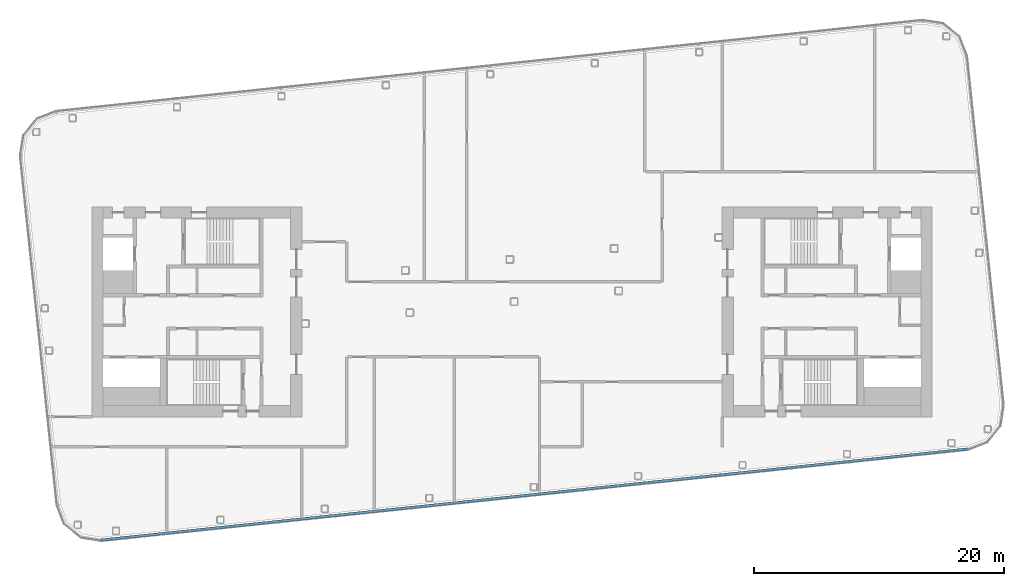
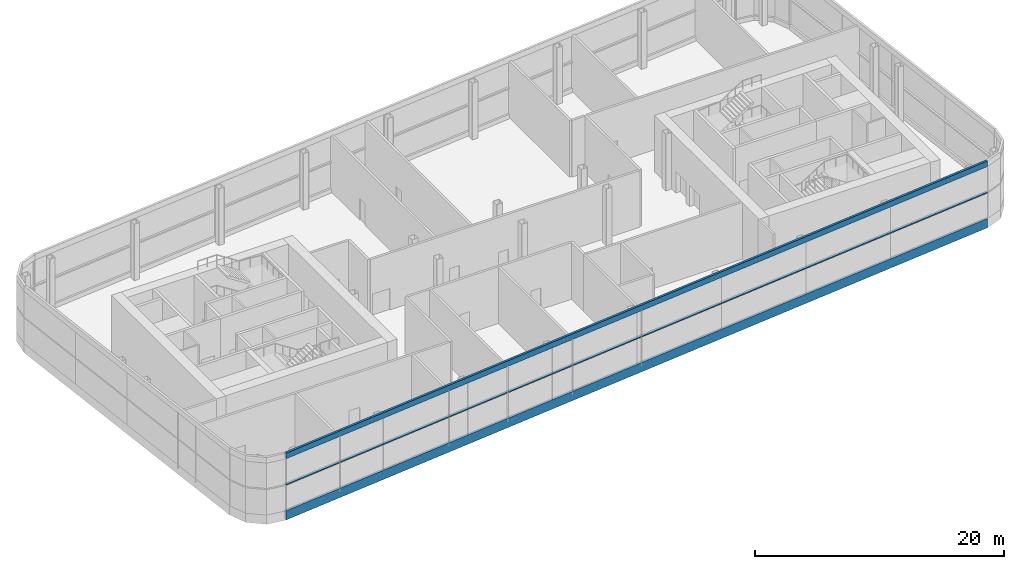
# One storey, part 6 of 35: 3 members, 1 element without a shape of its own.
"""IFC4 building model written with IfcOpenShell, lengths in metres."""

import ifcopenshell
import ifcopenshell.guid

model = None  # the IFC model being written
_history = None  # IfcOwnerHistory: only IFC2X3 demands one
_inside = {}  # id of a spatial element -> (the spatial element, [elements in it])
_under = {}  # id of a project, library or spatial element -> (it, [spatial elements below it])
_declared = {}  # id of a project -> (the project, [libraries it declares])
_typed = {}  # id of a type object -> (the type object, [elements of that type])
_made_of = {}  # id of a material, layer set ... -> (it, [elements and type objects made of it])


def new_model(schema):
    """Start an empty IFC model of exactly this schema.

    Asked for "IFC4X3", IfcOpenShell would pick the latest addendum, in which some entities
    have other attributes; the version numbers below select the first issue.
    IFC2X3 requires an IfcOwnerHistory on every rooted entity: one is made here for all.
    """
    global model, _history
    if schema == "IFC4X3":
        model = ifcopenshell.file(schema_version=(4, 3, 0, 0))
    else:
        model = ifcopenshell.file(schema=schema)
    _inside.clear()
    _under.clear()
    _declared.clear()
    _typed.clear()
    _made_of.clear()
    _history = None
    if model.schema == "IFC2X3":
        org = make("IfcOrganization", Name="unknown")
        user = make(
            "IfcPersonAndOrganization",
            ThePerson=make("IfcPerson", FamilyName="unknown"),
            TheOrganization=org,
        )
        app = make(
            "IfcApplication",
            ApplicationDeveloper=org,
            Version="unknown",
            ApplicationFullName="unknown",
            ApplicationIdentifier="unknown",
        )
        _history = make(
            "IfcOwnerHistory",
            OwningUser=user,
            OwningApplication=app,
            ChangeAction="ADDED",
            CreationDate=0,
        )
    return model


def make(cls, **values):
    """One entity of the class cls with the attributes given. An attribute that is None is left unset."""
    return model.create_entity(
        cls, **{name: value for name, value in values.items() if value is not None}
    )


def rooted(cls, **values):
    """An entity with a GlobalId (a new one), such as an element, a storey or a relation."""
    return make(cls, GlobalId=ifcopenshell.guid.new(), OwnerHistory=_history, **values)


def si_unit(unit_type, name, prefix=None):
    """IfcSIUnit, for example si_unit("LENGTHUNIT", "METRE", prefix="MILLI")."""
    return make("IfcSIUnit", UnitType=unit_type, Prefix=prefix, Name=name)


def assignment(units):
    """IfcUnitAssignment: the units of a project."""
    return None if units is None else make("IfcUnitAssignment", Units=units)


def point(xyz):
    """IfcCartesianPoint."""
    return None if xyz is None else make("IfcCartesianPoint", Coordinates=xyz)


def direction(xyz):
    """IfcDirection."""
    return None if xyz is None else make("IfcDirection", DirectionRatios=xyz)


def frame(location, z_axis=None, x_axis=None):
    """IfcAxis2Placement3D, a coordinate frame: its origin and axes. An axis left out is left unset."""
    return make(
        "IfcAxis2Placement3D",
        Location=point(location),
        Axis=direction(z_axis),
        RefDirection=direction(x_axis),
    )


def frame_2d(location, x_axis=None):
    """IfcAxis2Placement2D, a coordinate frame in the plane: its origin and x axis."""
    return make(
        "IfcAxis2Placement2D", Location=point(location), RefDirection=direction(x_axis)
    )


def origin():
    """The frame at (0, 0, 0) with its axes left unset."""
    return frame((0.0, 0.0, 0.0))


def origin_2d():
    """The frame at (0, 0) in the plane with its x axis left unset."""
    return frame_2d((0.0, 0.0))


def place(relative_to, where):
    """IfcLocalPlacement: puts the frame where relative to a parent placement (None: the world)."""
    return make(
        "IfcLocalPlacement", PlacementRelTo=relative_to, RelativePlacement=where
    )


def context(
    kind, dimensions, precision=None, world=None, true_north=None, identifier=None
):
    """IfcGeometricRepresentationContext, for example the 3D "Model" context."""
    return make(
        "IfcGeometricRepresentationContext",
        ContextIdentifier=identifier,
        ContextType=kind,
        CoordinateSpaceDimension=dimensions,
        Precision=precision,
        WorldCoordinateSystem=world,
        TrueNorth=true_north,
    )


def subcontext(parent, identifier, kind, view, scale=None):
    """IfcGeometricRepresentationSubContext, for example "Body" below "Model"."""
    return make(
        "IfcGeometricRepresentationSubContext",
        ContextIdentifier=identifier,
        ContextType=kind,
        ParentContext=parent,
        TargetScale=scale,
        TargetView=view,
    )


def project(units=None, contexts=None):
    """IfcProject with its units and contexts."""
    return rooted(
        "IfcProject",
        Name="project",
        RepresentationContexts=contexts,
        UnitsInContext=assignment(units),
    )


def spatial(cls, under=None, at=None, **own):
    """A site, building, storey or space (cls), placed at a placement, below another one or the project."""
    s = rooted(cls, ObjectPlacement=at, **own)
    if under is not None:
        _under.setdefault(under.id(), (under, []))[1].append(s)
    return s


def profile(cls, at=None, kind="AREA", **sizes):
    """A parametric profile (cls). Its sizes go by their IFC names, for example OverallWidth=200.0."""
    return make(cls, ProfileType=kind, Position=at, **sizes)


def rectangle(**sizes):
    """IfcRectangleProfileDef."""
    return profile("IfcRectangleProfileDef", **sizes)


def extrude(swept, where, along, depth):
    """IfcExtrudedAreaSolid: the profile swept, set in the frame where, extruded along a direction by depth."""
    return make(
        "IfcExtrudedAreaSolid",
        SweptArea=swept,
        Position=where,
        ExtrudedDirection=direction(along),
        Depth=depth,
    )


def shape(context_of_items, identifier, shape_type, items):
    """IfcShapeRepresentation: the items that make up one representation, for example the "Body"."""
    return make(
        "IfcShapeRepresentation",
        ContextOfItems=context_of_items,
        RepresentationIdentifier=identifier,
        RepresentationType=shape_type,
        Items=items,
    )


def material(Name=None, Category=None):
    """IfcMaterial."""
    return make("IfcMaterial", Name=Name, Category=Category)


def layer(
    of_material, thickness, ventilated=None, Name=None, Category=None, Priority=None
):
    """IfcMaterialLayer: one layer of a wall or slab, of a material (None: an air gap)."""
    return make(
        "IfcMaterialLayer",
        Material=of_material,
        LayerThickness=thickness,
        IsVentilated=ventilated,
        Name=Name,
        Category=Category,
        Priority=Priority,
    )


def layer_set(layers, Name=None):
    """IfcMaterialLayerSet."""
    return make("IfcMaterialLayerSet", MaterialLayers=layers, LayerSetName=Name)


def material_profile(
    of_material, cross_section, Name=None, Category=None, Priority=None
):
    """IfcMaterialProfile: a cross section and its material."""
    return make(
        "IfcMaterialProfile",
        Name=Name,
        Material=of_material,
        Profile=cross_section,
        Priority=Priority,
        Category=Category,
    )


def profile_set(profiles, Name=None, composite=None):
    """IfcMaterialProfileSet."""
    return make(
        "IfcMaterialProfileSet",
        Name=Name,
        MaterialProfiles=profiles,
        CompositeProfile=composite,
    )


def made_of(thing, what):
    """Note that an element or type object is made of a material, layer set ...; save() writes the relation."""
    if what is not None:
        _made_of.setdefault(what.id(), (what, []))[1].append(thing)
    return thing


def type_object(cls, material=None, **own):
    """A type object (cls), such as IfcWallType, which elements share."""
    return made_of(rooted(cls, **own), material)


def element(
    cls,
    number,
    at=None,
    inside=None,
    cuts=None,
    type_object=None,
    material=None,
    context=None,
    identifier="Body",
    shape_type=None,
    held_by="IfcProductDefinitionShape",
    body=None,
    shapes=None,
    **own,
):
    """One element of the class cls, such as IfcWall. Its Tag is "e" and its number.

    at: its placement. inside: the storey or other place that contains it. cuts: it is an
    opening in that element (IfcRelVoidsElement). A single representation is given by context,
    identifier, shape_type and body (its items); several are given by shapes. held_by: the class
    of the entity that holds the representations. save() writes the other relations.
    """
    e = rooted(cls, Tag="e%d" % number, ObjectPlacement=at, **own)
    if body is not None:
        shapes = [shape(context, identifier, shape_type, body)]
    if shapes is not None:
        e.Representation = make(held_by, Representations=shapes)
    if inside is not None:
        _inside.setdefault(inside.id(), (inside, []))[1].append(e)
    if cuts is not None:
        rooted(
            "IfcRelVoidsElement", RelatingBuildingElement=cuts, RelatedOpeningElement=e
        )
    if type_object is not None:
        _typed.setdefault(type_object.id(), (type_object, []))[1].append(e)
    return made_of(e, material)


def aggregate(whole, parts):
    """IfcRelAggregates: a whole, such as a stair, and the parts it consists of."""
    return rooted("IfcRelAggregates", RelatingObject=whole, RelatedObjects=parts)


def save(model, path):
    """Write the relations noted so far, then the file.

    IfcRelAggregates (storeys below a building ...), IfcRelContainedInSpatialStructure (elements
    in a storey), IfcRelDefinesByType, IfcRelAssociatesMaterial and IfcRelDeclares: one each for
    every whole, place, type object, material and project.
    """
    for whole, parts in _under.values():
        aggregate(whole, parts)
    for where, things in _inside.values():
        rooted(
            "IfcRelContainedInSpatialStructure",
            RelatedElements=things,
            RelatingStructure=where,
        )
    for kind, things in _typed.values():
        rooted("IfcRelDefinesByType", RelatedObjects=things, RelatingType=kind)
    for what, things in _made_of.values():
        rooted("IfcRelAssociatesMaterial", RelatedObjects=things, RelatingMaterial=what)
    for by, libraries in _declared.values():
        rooted("IfcRelDeclares", RelatingContext=by, RelatedDefinitions=libraries)
    model.write(path)


model = new_model("IFC4")

# Units and contexts
model_context = context("Model", 3, precision=1e-05, world=origin(), true_north=direction((0.0, 1.0)))
body_context = subcontext(model_context, "Body", "Model", "MODEL_VIEW")
ifc_project = project(units=[si_unit("LENGTHUNIT", "METRE"), si_unit("AREAUNIT", "SQUARE_METRE"), si_unit("VOLUMEUNIT", "CUBIC_METRE"), si_unit("PLANEANGLEUNIT", "RADIAN"), si_unit("MASSUNIT", "GRAM", prefix="KILO")], contexts=[model_context])

# Site, building, storey
site_placement = place(None, origin())
site = spatial("IfcSite", under=ifc_project, at=site_placement, CompositionType="ELEMENT")
building_placement = place(site_placement, origin())
building = spatial("IfcBuilding", under=site, at=building_placement, Name="Hakoniwa Tower and Hamabe Station Hall", CompositionType="ELEMENT")
storey_placement = place(building_placement, frame((0.0, 0.0, 270.60009765625)))
storey = spatial("IfcBuildingStorey", under=building, at=storey_placement, Name="L76", CompositionType="ELEMENT", Elevation=270.60009765625)

# Curtain wall, members
ifc_material_1 = material(Name="Dark low-e laminated glass", Category="glass")
ifc_layer = layer(ifc_material_1, 0.199951171875)
ifc_layer_set = layer_set([ifc_layer], Name="CW-1 UNITISED GUEST")
curtain_wall_type = type_object("IfcCurtainWallType", Name="CW-1 UNITISED GUEST", PredefinedType="NOTDEFINED", material=ifc_layer_set)
curtain_wall_placement = place(storey_placement, origin())
curtain_wall = element("IfcCurtainWall", 1, at=curtain_wall_placement, inside=storey, type_object=curtain_wall_type, Name="CW-1 curtain wall", PredefinedType="NOTDEFINED")
ifc_material_2 = material(Name="Aluminium 6063-T5 black anodised", Category="aluminium")
ifc_material_profile_1 = material_profile(ifc_material_2, rectangle(XDim=0.199951171875, YDim=0.550048828125, at=origin_2d()), Name="CW HEAD BAND 550X200")
ifc_profile_set_1 = profile_set([ifc_material_profile_1], Name="Aluminium 6063-T5 black anodised")
member_type_1 = type_object("IfcMemberType", Name="CW HEAD BAND 550X200", PredefinedType="USERDEFINED", material=ifc_profile_set_1)
member_1_placement = place(storey_placement, frame((-32.850830078125, -18.24755859375, 5.724853515625), z_axis=(0.994521894037, 0.10452847593, 0.0), x_axis=(-0.10452847593, 0.994521894037, 0.0)))
member_1 = element("IfcMember", 2, at=member_1_placement, type_object=member_type_1, Name="CW-1 transom", ObjectType="TRANSOM", PredefinedType="USERDEFINED", context=body_context, shape_type="SweptSolid", body=[
    extrude(rectangle(XDim=0.199951171875, YDim=0.550048828125, at=origin_2d()), origin(), (0.0, 0.0, 1.0), 69.678955078125),
])
ifc_material_3 = material(Name="Aluminium 6063-T5 black anodised", Category="aluminium")
ifc_material_profile_2 = material_profile(ifc_material_3, rectangle(XDim=0.199951171875, YDim=0.1201171875, at=origin_2d()), Name="CW MID TRANSOM 120X200")
ifc_profile_set_2 = profile_set([ifc_material_profile_2], Name="Aluminium 6063-T5 black anodised")
member_type_2 = type_object("IfcMemberType", Name="CW MID TRANSOM 120X200", PredefinedType="USERDEFINED", material=ifc_profile_set_2)
member_2_placement = place(storey_placement, frame((-32.850830078125, -18.24755859375, 2.89990234375), z_axis=(0.994521894037, 0.10452847593, 0.0), x_axis=(-0.10452847593, 0.994521894037, 0.0)))
member_2 = element("IfcMember", 3, at=member_2_placement, type_object=member_type_2, Name="CW-1 transom", ObjectType="TRANSOM", PredefinedType="USERDEFINED", context=body_context, shape_type="SweptSolid", body=[
    extrude(rectangle(XDim=0.199951171875, YDim=0.1201171875, at=origin_2d()), origin(), (0.0, 0.0, 1.0), 69.678955078125),
])
ifc_material_4 = material(Name="Aluminium 6063-T5 black anodised", Category="aluminium")
ifc_material_profile_3 = material_profile(ifc_material_4, rectangle(XDim=0.199951171875, YDim=0.89990234375, at=origin_2d()), Name="CW SLAB-EDGE BAND 900X200")
ifc_profile_set_3 = profile_set([ifc_material_profile_3], Name="Aluminium 6063-T5 black anodised")
member_type_3 = type_object("IfcMemberType", Name="CW SLAB-EDGE BAND 900X200", PredefinedType="USERDEFINED", material=ifc_profile_set_3)
member_3_placement = place(storey_placement, frame((-32.850830078125, -18.24755859375, -0.10009765625), z_axis=(0.994521894037, 0.10452847593, 0.0), x_axis=(-0.10452847593, 0.994521894037, 0.0)))
member_3 = element("IfcMember", 4, at=member_3_placement, type_object=member_type_3, Name="CW-1 transom", ObjectType="TRANSOM", PredefinedType="USERDEFINED", context=body_context, shape_type="SweptSolid", body=[
    extrude(rectangle(XDim=0.199951171875, YDim=0.89990234375, at=origin_2d()), origin(), (0.0, 0.0, 1.0), 69.678955078125),
])
aggregate(curtain_wall, [member_3, member_2, member_1])

save(model, "model.ifc")
